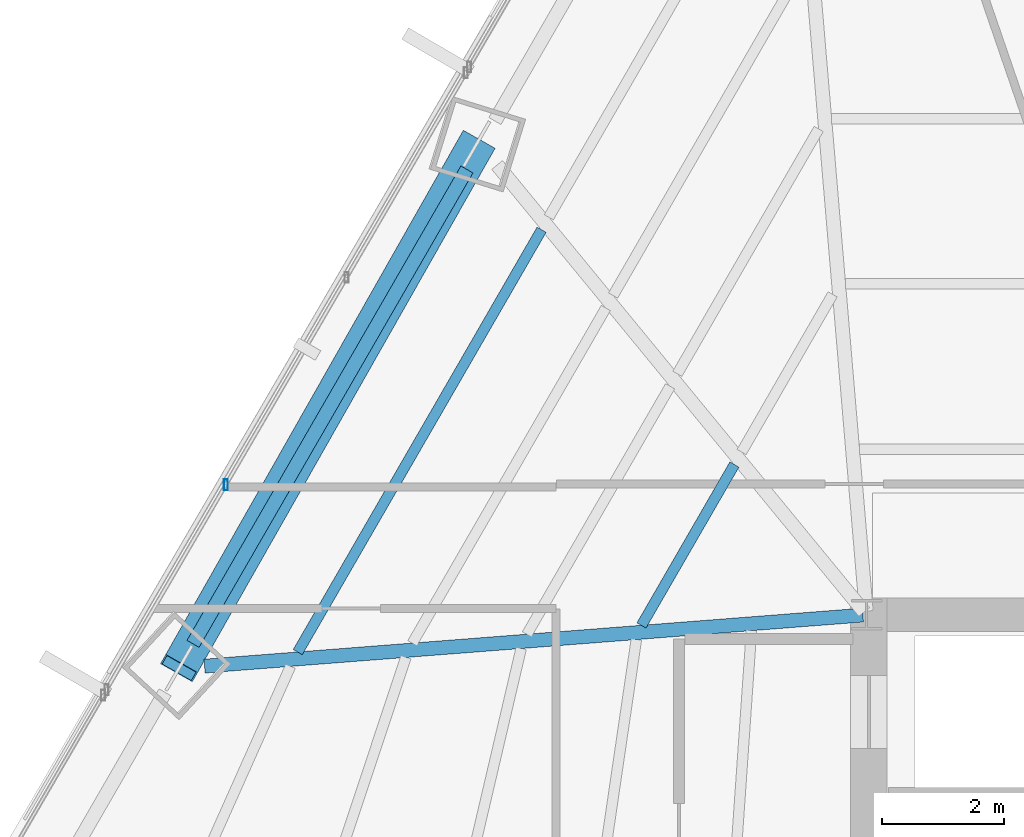
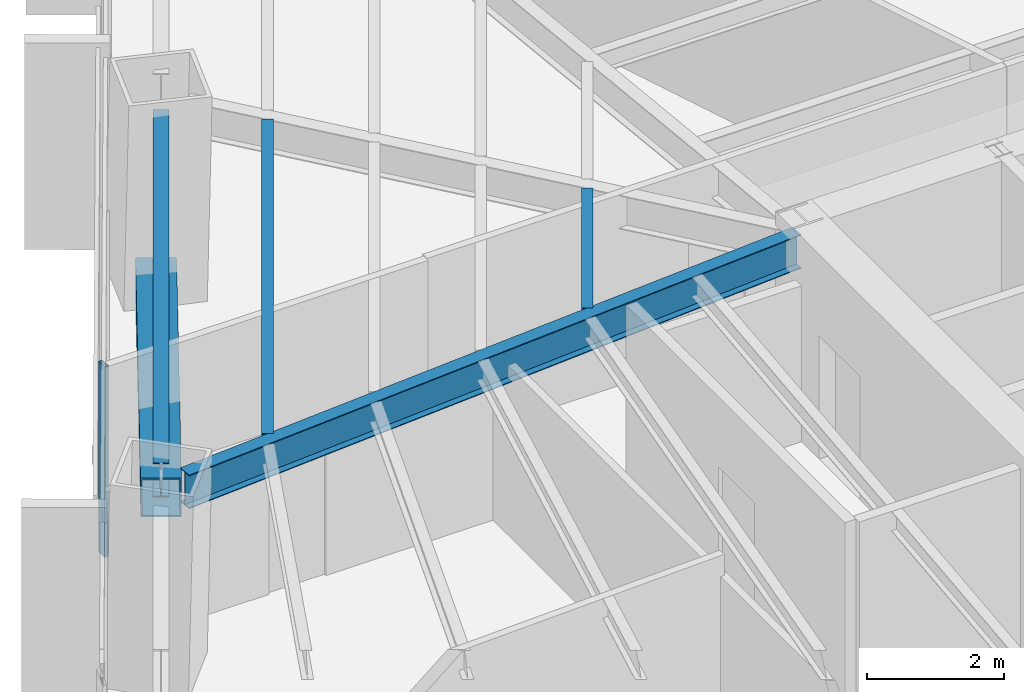
# One storey, part 10 of 33: 4 beams, 2 members, 1 element without a shape of its own.
"""IFC4 building model written with IfcOpenShell, lengths in metres."""

from ifc_helpers import new_model, si_unit, direction, frame, origin, origin_2d, place, context, subcontext, project, spatial, hollow_rectangle, i_section, extrude, source, transform, mapped, material, material_profile, profile_set, type_object, type_shapes, element, aggregate, save


model = new_model("IFC4")

# Units and contexts
model_context = context("Model", 3, precision=1e-05, world=origin(), true_north=direction((0.0, 1.0)))
body_context = subcontext(model_context, "Body", "Model", "MODEL_VIEW")
ifc_project = project(units=[si_unit("LENGTHUNIT", "METRE"), si_unit("AREAUNIT", "SQUARE_METRE"), si_unit("VOLUMEUNIT", "CUBIC_METRE"), si_unit("PLANEANGLEUNIT", "RADIAN"), si_unit("MASSUNIT", "GRAM", prefix="KILO")], contexts=[model_context])

# Site, building, storey
site_placement = place(None, origin())
site = spatial("IfcSite", under=ifc_project, at=site_placement, CompositionType="ELEMENT")
building_placement = place(site_placement, origin())
building = spatial("IfcBuilding", under=site, at=building_placement, Name="Caelisora Broadcast Tower", CompositionType="ELEMENT")
storey_placement = place(building_placement, frame((0.0, 0.0, 42.199951171875)))
storey = spatial("IfcBuildingStorey", under=building, at=storey_placement, Name="L10", CompositionType="ELEMENT", Elevation=42.199951171875)

# Beams
ifc_material_1 = material(Name="Steel Grade 350 (AS/NZS 3679.1)", Category="steel")
ifc_material_profile_1 = material_profile(ifc_material_1, i_section(OverallWidth=0.172119140625, OverallDepth=0.358642578125, WebThickness=0.008056640625, FlangeThickness=0.012939453125, at=origin_2d()), Name="Steel Grade 350 (AS/NZS 3679.1)")
ifc_profile_set_1 = profile_set([ifc_material_profile_1], Name="Steel Grade 350 (AS/NZS 3679.1)")
beam_type_1 = type_object("IfcBeamType", Name="SB02", PredefinedType="JOIST", material=ifc_profile_set_1)
shared_shape_1 = source(origin(), body_context, "Body", "SweptSolid", [
    extrude(i_section(OverallWidth=0.172119140625, OverallDepth=0.358642578125, WebThickness=0.008056640625, FlangeThickness=0.012939453125, at=origin_2d()), origin(), (0.0, 0.0, 1.0), 3.05224609375),
])
beam_1_placement = place(storey_placement, frame((28.3291015625, 32.468505859375, 3.220703125), z_axis=(-0.500061704731, -0.865989775611, 0.0), x_axis=(0.865989775611, -0.500061704731, 0.0)))
element("IfcBeam", 1, at=beam_1_placement, inside=storey, type_object=beam_type_1, Name="L10 beam SB02", PredefinedType="JOIST", context=body_context, shape_type="MappedRepresentation", body=[
    mapped(shared_shape_1, transform((0.0, 0.0, 0.0), scale=1.0)),
])
ifc_material_profile_2 = material_profile(ifc_material_1, i_section(OverallWidth=0.22900390625, OverallDepth=0.611572265625, WebThickness=0.011962890625, FlangeThickness=0.01953125, at=origin_2d()), Name="Steel Grade 350 (AS/NZS 3679.1)")
ifc_profile_set_2 = profile_set([ifc_material_profile_2], Name="Steel Grade 350 (AS/NZS 3679.1)")
beam_type_2 = type_object("IfcBeamType", Name="PG03", PredefinedType="BEAM", material=ifc_profile_set_2)
shared_shape_2 = source(origin(), body_context, "Body", "SweptSolid", [
    extrude(i_section(OverallWidth=0.22900390625, OverallDepth=0.611572265625, WebThickness=0.011962890625, FlangeThickness=0.01953125, at=origin_2d()), origin(), (0.0, 0.0, 1.0), 8.998779296875),
])
type_shapes(beam_type_2, [shared_shape_2])
beam_2_placement = place(storey_placement, frame((23.93505859375, 37.31591796875, 3.09423828125), z_axis=(-0.499987833089, -0.86603242824, 0.0), x_axis=(0.86603242824, -0.499987833089, 0.0)))
element("IfcBeam", 2, at=beam_2_placement, inside=storey, type_object=beam_type_2, Name="L10 beam PG03", PredefinedType="BEAM", context=body_context, shape_type="MappedRepresentation", body=[
    mapped(shared_shape_2, transform((0.0, 0.0, 0.0), scale=1.0)),
])
ifc_material_profile_3 = material_profile(ifc_material_1, i_section(OverallWidth=0.22802734375, OverallDepth=0.602294921875, WebThickness=0.010498046875, FlangeThickness=0.014892578125, at=origin_2d()), Name="Steel Grade 350 (AS/NZS 3679.1)")
ifc_profile_set_3 = profile_set([ifc_material_profile_3], Name="Steel Grade 350 (AS/NZS 3679.1)")
beam_type_3 = type_object("IfcBeamType", Name="PG04", PredefinedType="BEAM", material=ifc_profile_set_3)
shared_shape_3 = source(origin(), body_context, "Body", "SweptSolid", [
    extrude(i_section(OverallWidth=0.22802734375, OverallDepth=0.602294921875, WebThickness=0.010498046875, FlangeThickness=0.014892578125, at=origin_2d()), origin(), (0.0, 0.0, 1.0), 10.84814453125),
])
type_shapes(beam_type_3, [shared_shape_3])
beam_3_placement = place(storey_placement, frame((30.440185546875, 29.995361328125, 3.098876953125), z_axis=(-0.997007435387, -0.077305716362, 0.0), x_axis=(0.077305716362, -0.997007435387, 0.0)))
element("IfcBeam", 3, at=beam_3_placement, inside=storey, type_object=beam_type_3, Name="L10 beam PG04", PredefinedType="BEAM", context=body_context, shape_type="MappedRepresentation", body=[
    mapped(shared_shape_3, transform((0.0, 0.0, 0.0), scale=1.0)),
])
shared_shape_4 = source(origin(), body_context, "Body", "SweptSolid", [
    extrude(i_section(OverallWidth=0.172119140625, OverallDepth=0.358642578125, WebThickness=0.008056640625, FlangeThickness=0.012939453125, at=origin_2d()), origin(), (0.0, 0.0, 1.0), 8.01171875),
])
type_shapes(beam_type_1, [shared_shape_1, shared_shape_4])
beam_4_placement = place(storey_placement, frame((25.16162109375, 36.32568359375, 3.220703125), z_axis=(-0.499993265928, -0.866029291668, 0.0), x_axis=(0.866029291668, -0.499993265928, 0.0)))
element("IfcBeam", 4, at=beam_4_placement, inside=storey, type_object=beam_type_1, Name="L10 beam SB02", PredefinedType="JOIST", context=body_context, shape_type="MappedRepresentation", body=[
    mapped(shared_shape_4, transform((0.0, 0.0, 0.0), scale=1.0)),
])

# Member
ifc_material_2 = material(Name="Steel Grade 450 L15 (AS/NZS 3678)", Category="steel")
ifc_material_profile_4 = material_profile(ifc_material_2, hollow_rectangle(XDim=0.60009765625, YDim=0.60009765625, WallThickness=0.02490234375, at=origin_2d()), Name="Steel Grade 450 L15 (AS/NZS 3678)")
ifc_profile_set_4 = profile_set([ifc_material_profile_4], Name="Steel Grade 450 L15 (AS/NZS 3678)")
member_type_1 = type_object("IfcMemberType", Name="BR01", PredefinedType="BRACE", material=ifc_profile_set_4)
shared_shape_5 = source(origin(), body_context, "Body", "SweptSolid", [
    extrude(hollow_rectangle(XDim=0.60009765625, YDim=0.60009765625, WallThickness=0.02490234375, at=origin_2d()), origin(), (0.0, 0.0, 1.0), 10.346923828125),
])
type_shapes(member_type_1, [shared_shape_5])
member_1_placement = place(storey_placement, frame((24.09423828125, 37.736083984375, 0.10009765625), z_axis=(-0.472449465259, -0.832301974607, 0.289939521006), x_axis=(0.869658167483, -0.493654405157, 0.0)))
element("IfcMember", 5, at=member_1_placement, inside=storey, type_object=member_type_1, Name="L10 perimeter brace BR01", PredefinedType="BRACE", context=body_context, shape_type="MappedRepresentation", body=[
    mapped(shared_shape_5, transform((0.0, 0.0, 0.0), scale=1.0)),
])

# Curtain wall, member
ifc_material_3 = material(Name="Unitised Aluminium Insulated Shadow-Box Spandrel Curtain Wall", Category="aluminium")
curtain_wall_type = type_object("IfcCurtainWallType", Name="CW-SP1", PredefinedType="NOTDEFINED", material=ifc_material_3)
curtain_wall_placement = place(storey_placement, origin())
curtain_wall = element("IfcCurtainWall", 6, at=curtain_wall_placement, inside=storey, type_object=curtain_wall_type, Name="L10 curtain wall CW-SP1", PredefinedType="NOTDEFINED")
ifc_material_4 = material(Name="Aluminium 6063-T6 Anodised Terracotta Bronze", Category="aluminium")
ifc_material_profile_5 = material_profile(ifc_material_4, hollow_rectangle(XDim=0.06494140625, YDim=0.179931640625, WallThickness=0.00341796875, at=origin_2d()), Name="Aluminium 6063-T6 Anodised Terracotta Bronze")
ifc_profile_set_5 = profile_set([ifc_material_profile_5], Name="Aluminium 6063-T6 Anodised Terracotta Bronze")
member_type_2 = type_object("IfcMemberType", Name="CWM-02", PredefinedType="MULLION", material=ifc_profile_set_5)
shared_shape_6 = source(origin(), body_context, "Body", "SweptSolid", [
    extrude(hollow_rectangle(XDim=0.06494140625, YDim=0.179931640625, WallThickness=0.00341796875, at=origin_2d()), origin(), (0.0, 0.0, 1.0), 3.400146484375),
])
type_shapes(member_type_2, [shared_shape_6])
member_2_placement = place(storey_placement, frame((19.97314453125, 32.13525390625, 0.0), z_axis=(0.0, 0.0, 1.0), x_axis=(1.0, 0.0, 0.0)))
member_2 = element("IfcMember", 7, at=member_2_placement, type_object=member_type_2, Name="L10-CW-B10 mullion #1", PredefinedType="MULLION", context=body_context, shape_type="MappedRepresentation", body=[
    mapped(shared_shape_6, transform((0.0, 0.0, 0.0), scale=1.0)),
])
aggregate(curtain_wall, [member_2])

save(model, "model.ifc")
